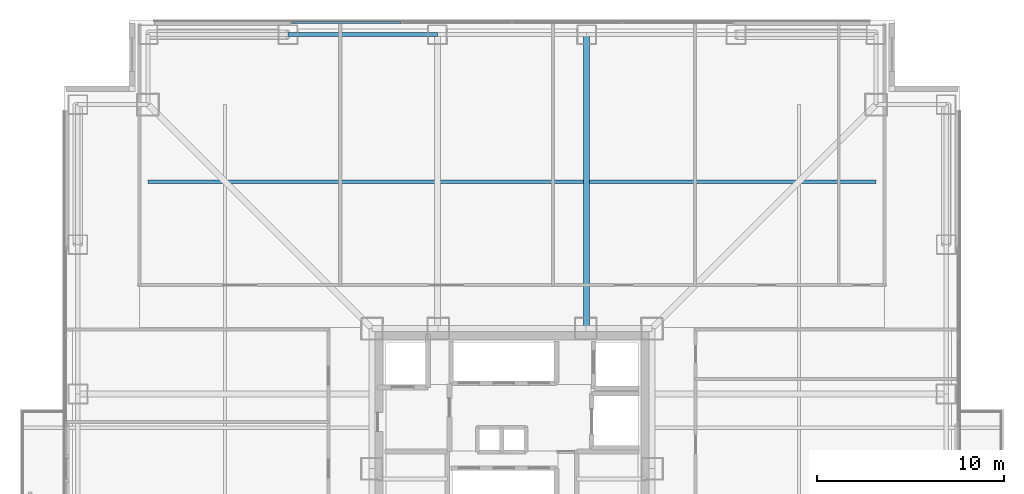
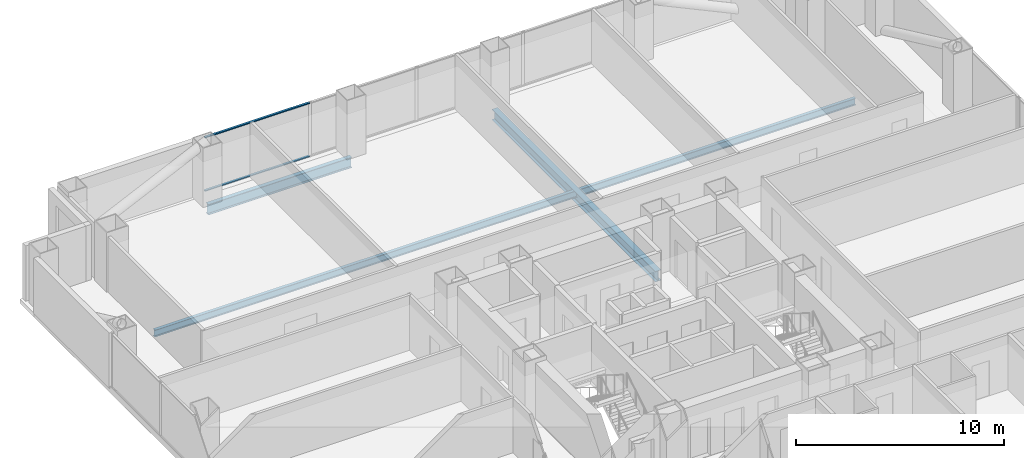
# One storey, part 12 of 20: 3 beams, 2 members, 1 element without a shape of its own.
"""IFC4 building model written with IfcOpenShell, lengths in metres."""

from ifc_helpers import new_model, si_unit, direction, frame, origin, origin_2d, place, context, subcontext, project, spatial, rectangle, i_section, extrude, material, layer, layer_set, material_profile, profile_set, type_object, element, aggregate, save


model = new_model("IFC4")

# Units and contexts
model_context = context("Model", 3, precision=1e-05, world=origin(), true_north=direction((0.0, 1.0)))
body_context = subcontext(model_context, "Body", "Model", "MODEL_VIEW")
ifc_project = project(units=[si_unit("LENGTHUNIT", "METRE"), si_unit("AREAUNIT", "SQUARE_METRE"), si_unit("VOLUMEUNIT", "CUBIC_METRE"), si_unit("PLANEANGLEUNIT", "RADIAN"), si_unit("MASSUNIT", "GRAM", prefix="KILO")], contexts=[model_context])

# Site, building, storey
site_placement = place(None, origin())
site = spatial("IfcSite", under=ifc_project, at=site_placement, CompositionType="ELEMENT")
building_placement = place(site_placement, origin())
building = spatial("IfcBuilding", under=site, at=building_placement, Name="Trevonay Congress Spire", CompositionType="ELEMENT")
storey_placement = place(building_placement, frame((0.0, 0.0, 76.0)))
storey = spatial("IfcBuildingStorey", under=building, at=storey_placement, Name="L19", CompositionType="ELEMENT", Elevation=76.0)

# Beams
ifc_material_1 = material(Name="Steel ASTM A572 Grade 50", Category="steel")
ifc_material_profile_1 = material_profile(ifc_material_1, i_section(OverallWidth=0.324951171875, OverallDepth=0.615966796875, WebThickness=0.013916015625, FlangeThickness=0.021484375, FilletRadius=0.01806640625, at=origin_2d()), Name="W610x174")
ifc_profile_set_1 = profile_set([ifc_material_profile_1], Name="Steel ASTM A572 Grade 50")
beam_type_1 = type_object("IfcBeamType", Name="BM-GIRD-W610X174", PredefinedType="BEAM", material=ifc_profile_set_1)
beam_1_placement = place(storey_placement, frame((4.0, 7.5, -0.55810546875), z_axis=(0.0, 1.0, 0.0), x_axis=(-1.0, 0.0, 0.0)))
element("IfcBeam", 1, at=beam_1_placement, inside=storey, type_object=beam_type_1, Name="L19 structural beam BM-L19-GN-P", PredefinedType="BEAM", context=body_context, shape_type="SweptSolid", body=[
    extrude(i_section(OverallWidth=0.324951171875, OverallDepth=0.615966796875, WebThickness=0.013916015625, FlangeThickness=0.021484375, FilletRadius=0.01806640625, at=origin_2d()), origin(), (0.0, 0.0, 1.0), 15.75),
])
ifc_material_profile_2 = material_profile(ifc_material_1, i_section(OverallWidth=0.22998046875, OverallDepth=0.616943359375, WebThickness=0.01318359375, FlangeThickness=0.022216796875, FilletRadius=0.01611328125, at=origin_2d()), Name="W610x140")
ifc_profile_set_2 = profile_set([ifc_material_profile_2], Name="Steel ASTM A572 Grade 50")
beam_type_2 = type_object("IfcBeamType", Name="BM-RING-W610X140", PredefinedType="BEAM", material=ifc_profile_set_2)
beam_2_placement = place(storey_placement, frame((-12.0, 23.25, -0.55859375), z_axis=(1.0, 0.0, 0.0), x_axis=(0.0, 1.0, 0.0)))
element("IfcBeam", 2, at=beam_2_placement, inside=storey, type_object=beam_type_2, Name="L19 structural beam BM-L19-PN2", PredefinedType="BEAM", context=body_context, shape_type="SweptSolid", body=[
    extrude(i_section(OverallWidth=0.22998046875, OverallDepth=0.616943359375, WebThickness=0.01318359375, FlangeThickness=0.022216796875, FilletRadius=0.01611328125, at=origin_2d()), origin(), (0.0, 0.0, 1.0), 8.0),
])

# Curtain wall, members
ifc_material_2 = material(Name="Pale Anodised Aluminium EN AW-6063-T6", Category="aluminium")
ifc_layer = layer(ifc_material_2, 0.179931640625, Name="Pale Anodised Aluminium EN AW-6063-T6")
ifc_layer_set = layer_set([ifc_layer], Name="Pale Anodised Aluminium EN AW-6063-T6")
curtain_wall_type = type_object("IfcCurtainWallType", Name="CW-SYS02-HOTEL-PALE-METAL", PredefinedType="NOTDEFINED", material=ifc_layer_set)
curtain_wall_placement = place(storey_placement, origin())
curtain_wall = element("IfcCurtainWall", 3, at=curtain_wall_placement, inside=storey, type_object=curtain_wall_type, Name="L19 N unitised curtain wall", PredefinedType="NOTDEFINED")
ifc_material_profile_3 = material_profile(ifc_material_2, rectangle(XDim=0.1201171875, YDim=0.06005859375, at=origin_2d()), Name="CW-TRANSOM-120-ALUMINIUM")
ifc_profile_set_3 = profile_set([ifc_material_profile_3], Name="Pale Anodised Aluminium EN AW-6063-T6")
member_type = type_object("IfcMemberType", Name="CW-TRANSOM-120-ALUMINIUM", PredefinedType="USERDEFINED", material=ifc_profile_set_3)
member_1_placement = place(storey_placement, frame((-11.7900390625, 23.8798828125, 0.06005859375), z_axis=(1.0, 0.0, 0.0), x_axis=(0.0, 1.0, 0.0)))
member_1 = element("IfcMember", 4, at=member_1_placement, type_object=member_type, Name="CW02 transom 1.1", ObjectType="TRANSOM", PredefinedType="USERDEFINED", context=body_context, shape_type="SweptSolid", body=[
    extrude(rectangle(XDim=0.1201171875, YDim=0.06005859375, at=origin_2d()), origin(), (0.0, 0.0, 1.0), 5.8349609375),
])
member_2_placement = place(storey_placement, frame((-11.7900390625, 23.8798828125, 3.18994140625), z_axis=(1.0, 0.0, 0.0), x_axis=(0.0, 1.0, 0.0)))
member_2 = element("IfcMember", 5, at=member_2_placement, type_object=member_type, Name="CW02 transom 1.2", ObjectType="TRANSOM", PredefinedType="USERDEFINED", context=body_context, shape_type="SweptSolid", body=[
    extrude(rectangle(XDim=0.1201171875, YDim=0.06005859375, at=origin_2d()), origin(), (0.0, 0.0, 1.0), 5.8349609375),
])
aggregate(curtain_wall, [member_1, member_2])

# Beam
ifc_material_profile_4 = material_profile(ifc_material_1, i_section(OverallWidth=0.177978515625, OverallDepth=0.406982421875, WebThickness=0.0078125, FlangeThickness=0.0126953125, FilletRadius=0.012939453125, at=origin_2d()), Name="W410x60")
ifc_profile_set_4 = profile_set([ifc_material_profile_4], Name="Steel ASTM A572 Grade 50")
beam_type_3 = type_object("IfcBeamType", Name="JS-COMP-W410X60", PredefinedType="JOIST", material=ifc_profile_set_4)
beam_3_placement = place(storey_placement, frame((-19.5, 15.375, -0.45361328125), z_axis=(1.0, 0.0, 0.0), x_axis=(0.0, 1.0, 0.0)))
element("IfcBeam", 6, at=beam_3_placement, inside=storey, type_object=beam_type_3, Name="L19 structural beam JS-L19-RING-N", PredefinedType="JOIST", context=body_context, shape_type="SweptSolid", body=[
    extrude(i_section(OverallWidth=0.177978515625, OverallDepth=0.406982421875, WebThickness=0.0078125, FlangeThickness=0.0126953125, FilletRadius=0.012939453125, at=origin_2d()), origin(), (0.0, 0.0, 1.0), 39.0),
])

save(model, "model.ifc")
